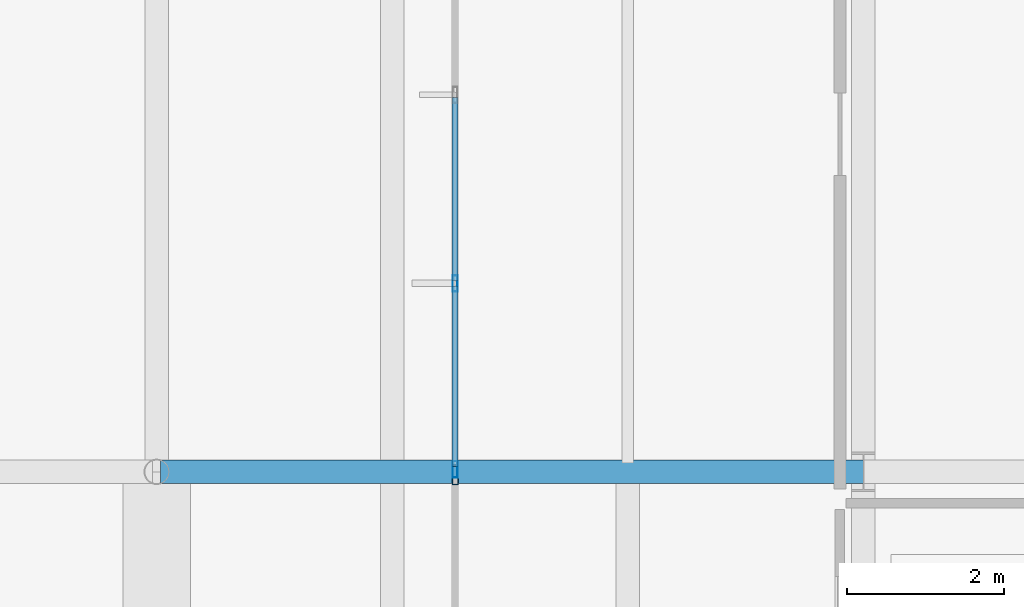
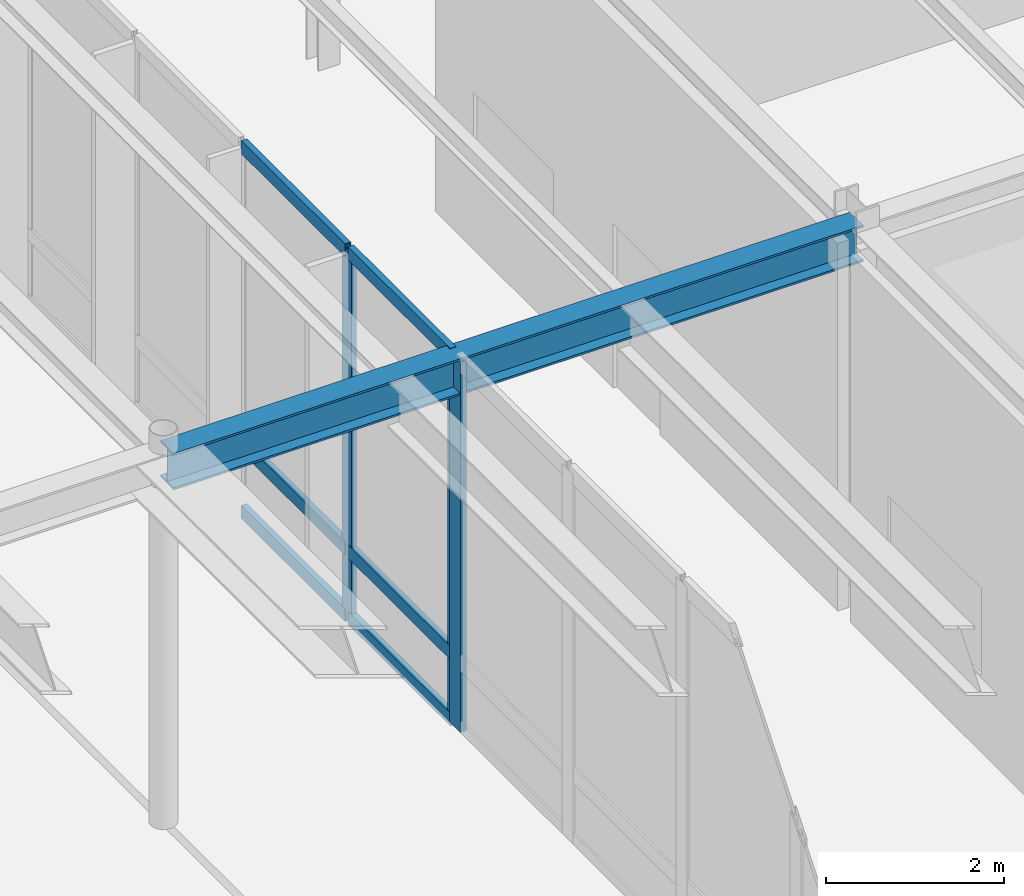
# One storey, part 47 of 143: 9 members, 1 beam, 2 elements without a shape of their own.
"""IFC4 building model written with IfcOpenShell, lengths in metres."""

from ifc_helpers import new_model, si_unit, direction, frame, origin, origin_2d, place, context, subcontext, project, spatial, hollow_rectangle, i_section, extrude, material, layer, layer_set, material_profile, profile_set, type_object, element, aggregate, save


model = new_model("IFC4")

# Units and contexts
model_context = context("Model", 3, precision=1e-05, world=origin(), true_north=direction((0.0, 1.0)))
body_context = subcontext(model_context, "Body", "Model", "MODEL_VIEW")
ifc_project = project(units=[si_unit("LENGTHUNIT", "METRE"), si_unit("AREAUNIT", "SQUARE_METRE"), si_unit("VOLUMEUNIT", "CUBIC_METRE"), si_unit("PLANEANGLEUNIT", "RADIAN"), si_unit("MASSUNIT", "GRAM", prefix="KILO")], contexts=[model_context])

# Site, building, storey
site_placement = place(None, origin())
site = spatial("IfcSite", under=ifc_project, at=site_placement, CompositionType="ELEMENT")
building_placement = place(site_placement, origin())
building = spatial("IfcBuilding", under=site, at=building_placement, Name="Montelvaro Courts of Justice", CompositionType="ELEMENT")
storey_placement = place(building_placement, origin())
storey = spatial("IfcBuildingStorey", under=building, at=storey_placement, Name="L00", CompositionType="ELEMENT", Elevation=0.0)

# Beam
ifc_material_1 = material(Name="Steel S355", Category="steel")
ifc_material_profile_1 = material_profile(ifc_material_1, i_section(OverallWidth=0.300048828125, OverallDepth=0.5, WebThickness=0.014404296875, FlangeThickness=0.028076171875, at=origin_2d()), Name="HEB 500")
ifc_profile_set_1 = profile_set([ifc_material_profile_1], Name="Steel S355")
beam_type = type_object("IfcBeamType", Name="Beam_HEB500", PredefinedType="USERDEFINED", material=ifc_profile_set_1)
beam_placement = place(storey_placement, frame((99.050048828125, 42.0, 4.8701171875), z_axis=(1.0, 0.0, 0.0), x_axis=(0.0, 1.0, 0.0)))
element("IfcBeam", 1, at=beam_placement, inside=storey, type_object=beam_type, Name="Beam B-25 L00", ObjectType="GIRDER", PredefinedType="USERDEFINED", context=body_context, shape_type="SweptSolid", body=[
    extrude(i_section(OverallWidth=0.300048828125, OverallDepth=0.5, WebThickness=0.014404296875, FlangeThickness=0.028076171875, at=origin_2d()), origin(), (0.0, 0.0, 1.0), 8.949951171875),
])

# Curtain wall, members
ifc_material_2 = material(Name="Anodised aluminium EN AW-6063", Category="aluminium")
ifc_layer_1 = layer(ifc_material_2, 0.159912109375)
ifc_layer_set_1 = layer_set([ifc_layer_1], Name="Anodised aluminium EN AW-6063")
curtain_wall_type_1 = type_object("IfcCurtainWallType", Name="CurtainWall_06_1200x508", PredefinedType="USERDEFINED", material=ifc_layer_set_1)
curtain_wall_1_placement = place(storey_placement, origin())
curtain_wall_1 = element("IfcCurtainWall", 2, at=curtain_wall_1_placement, inside=storey, type_object=curtain_wall_type_1, Name="Curtain Wall CW-06 (L00)", ObjectType="CURTAIN WALL", PredefinedType="USERDEFINED")
ifc_material_profile_2 = material_profile(ifc_material_2, hollow_rectangle(XDim=0.06494140625, YDim=0.2099609375, WallThickness=0.0048828125, at=origin_2d()), Name="ALU-M 65x210")
ifc_profile_set_2 = profile_set([ifc_material_profile_2], Name="Anodised aluminium EN AW-6063")
member_type_1 = type_object("IfcMemberType", Name="CurtainWall_Mullion_65x210", PredefinedType="MULLION", material=ifc_profile_set_2)
member_1_placement = place(storey_placement, frame((102.800048828125, 44.39990234375, 0.0), z_axis=(0.0, 0.0, 1.0), x_axis=(1.0, 0.0, 0.0)))
member_1 = element("IfcMember", 3, at=member_1_placement, type_object=member_type_1, Name="CW-06 mullion 5", PredefinedType="MULLION", context=body_context, shape_type="SweptSolid", body=[
    extrude(hollow_rectangle(XDim=0.06494140625, YDim=0.2099609375, WallThickness=0.0048828125, at=origin_2d()), origin(), (0.0, 0.0, 1.0), 5.080078125),
])
member_2_placement = place(storey_placement, frame((102.800048828125, 42.032470703125, 0.0), z_axis=(0.0, 0.0, 1.0), x_axis=(1.0, 0.0, 0.0)))
member_2 = element("IfcMember", 4, at=member_2_placement, type_object=member_type_1, Name="CW-06 mullion 6", PredefinedType="MULLION", context=body_context, shape_type="SweptSolid", body=[
    extrude(hollow_rectangle(XDim=0.06494140625, YDim=0.2099609375, WallThickness=0.0048828125, at=origin_2d()), origin(), (0.0, 0.0, 1.0), 5.080078125),
])

# Curtain wall, member
ifc_layer_2 = layer(ifc_material_2, 0.159912109375)
ifc_layer_set_2 = layer_set([ifc_layer_2], Name="Anodised aluminium EN AW-6063")
curtain_wall_type_2 = type_object("IfcCurtainWallType", Name="CurtainWall_09_1796x508", PredefinedType="USERDEFINED", material=ifc_layer_set_2)
curtain_wall_2_placement = place(storey_placement, origin())
curtain_wall_2 = element("IfcCurtainWall", 5, at=curtain_wall_2_placement, inside=storey, type_object=curtain_wall_type_2, Name="Curtain Wall CW-09 (L00)", ObjectType="CURTAIN WALL", PredefinedType="USERDEFINED")
ifc_material_profile_3 = material_profile(ifc_material_2, hollow_rectangle(XDim=0.074951171875, YDim=0.25, WallThickness=0.005615234375, at=origin_2d()), Name="ALU-M 75x250")
ifc_profile_set_3 = profile_set([ifc_material_profile_3], Name="Anodised aluminium EN AW-6063")
member_type_2 = type_object("IfcMemberType", Name="CurtainWall_Mullion_75x250", PredefinedType="MULLION", material=ifc_profile_set_3)
member_3_placement = place(storey_placement, frame((102.800048828125, 41.96240234375, 0.0), z_axis=(0.0, 0.0, 1.0), x_axis=(1.0, 0.0, 0.0)))
member_3 = element("IfcMember", 6, at=member_3_placement, type_object=member_type_2, Name="CW-09 mullion 1", PredefinedType="MULLION", context=body_context, shape_type="SweptSolid", body=[
    extrude(hollow_rectangle(XDim=0.074951171875, YDim=0.25, WallThickness=0.005615234375, at=origin_2d()), origin(), (0.0, 0.0, 1.0), 5.080078125),
])
aggregate(curtain_wall_2, [member_3])

# Member
ifc_material_profile_4 = material_profile(ifc_material_2, hollow_rectangle(XDim=0.074951171875, YDim=0.179931640625, WallThickness=0.0048828125, at=origin_2d()), Name="ALU-T 75x180")
ifc_profile_set_4 = profile_set([ifc_material_profile_4], Name="Anodised aluminium EN AW-6063")
member_type_3 = type_object("IfcMemberType", Name="CurtainWall_Transom_75x180", PredefinedType="USERDEFINED", material=ifc_profile_set_4)
member_4_placement = place(storey_placement, frame((102.800048828125, 46.767578125, 0.03759765625), z_axis=(0.0, -1.0, 0.0), x_axis=(1.0, 0.0, 0.0)))
member_4 = element("IfcMember", 7, at=member_4_placement, type_object=member_type_3, Name="CW-06 transom 4.1", ObjectType="TRANSOM", PredefinedType="USERDEFINED", context=body_context, shape_type="SweptSolid", body=[
    extrude(hollow_rectangle(XDim=0.074951171875, YDim=0.179931640625, WallThickness=0.0048828125, at=origin_2d()), origin(), (0.0, 0.0, 1.0), 2.3349609375),
])

member_5_placement = place(storey_placement, frame((102.800048828125, 46.767578125, 0.949951171875), z_axis=(0.0, -1.0, 0.0), x_axis=(1.0, 0.0, 0.0)))
member_5 = element("IfcMember", 8, at=member_5_placement, type_object=member_type_3, Name="CW-06 transom 4.2", ObjectType="TRANSOM", PredefinedType="USERDEFINED", context=body_context, shape_type="SweptSolid", body=[
    extrude(hollow_rectangle(XDim=0.074951171875, YDim=0.179931640625, WallThickness=0.0048828125, at=origin_2d()), origin(), (0.0, 0.0, 1.0), 2.3349609375),
])

member_6_placement = place(storey_placement, frame((102.800048828125, 46.767578125, 5.04248046875), z_axis=(0.0, -1.0, 0.0), x_axis=(1.0, 0.0, 0.0)))
member_6 = element("IfcMember", 9, at=member_6_placement, type_object=member_type_3, Name="CW-06 transom 4.3", ObjectType="TRANSOM", PredefinedType="USERDEFINED", context=body_context, shape_type="SweptSolid", body=[
    extrude(hollow_rectangle(XDim=0.074951171875, YDim=0.179931640625, WallThickness=0.0048828125, at=origin_2d()), origin(), (0.0, 0.0, 1.0), 2.3349609375),
])

member_7_placement = place(storey_placement, frame((102.800048828125, 44.367431640625, 0.03759765625), z_axis=(0.0, -1.0, 0.0), x_axis=(1.0, 0.0, 0.0)))
member_7 = element("IfcMember", 10, at=member_7_placement, type_object=member_type_3, Name="CW-06 transom 5.1", ObjectType="TRANSOM", PredefinedType="USERDEFINED", context=body_context, shape_type="SweptSolid", body=[
    extrude(hollow_rectangle(XDim=0.074951171875, YDim=0.179931640625, WallThickness=0.0048828125, at=origin_2d()), origin(), (0.0, 0.0, 1.0), 2.302490234375),
])

member_8_placement = place(storey_placement, frame((102.800048828125, 44.367431640625, 0.949951171875), z_axis=(0.0, -1.0, 0.0), x_axis=(1.0, 0.0, 0.0)))
member_8 = element("IfcMember", 11, at=member_8_placement, type_object=member_type_3, Name="CW-06 transom 5.2", ObjectType="TRANSOM", PredefinedType="USERDEFINED", context=body_context, shape_type="SweptSolid", body=[
    extrude(hollow_rectangle(XDim=0.074951171875, YDim=0.179931640625, WallThickness=0.0048828125, at=origin_2d()), origin(), (0.0, 0.0, 1.0), 2.302490234375),
])

member_9_placement = place(storey_placement, frame((102.800048828125, 44.367431640625, 5.04248046875), z_axis=(0.0, -1.0, 0.0), x_axis=(1.0, 0.0, 0.0)))
member_9 = element("IfcMember", 12, at=member_9_placement, type_object=member_type_3, Name="CW-06 transom 5.3", ObjectType="TRANSOM", PredefinedType="USERDEFINED", context=body_context, shape_type="SweptSolid", body=[
    extrude(hollow_rectangle(XDim=0.074951171875, YDim=0.179931640625, WallThickness=0.0048828125, at=origin_2d()), origin(), (0.0, 0.0, 1.0), 2.302490234375),
])

aggregate(curtain_wall_1, [member_1, member_2, member_4, member_5, member_6, member_7, member_8, member_9])

save(model, "model.ifc")
